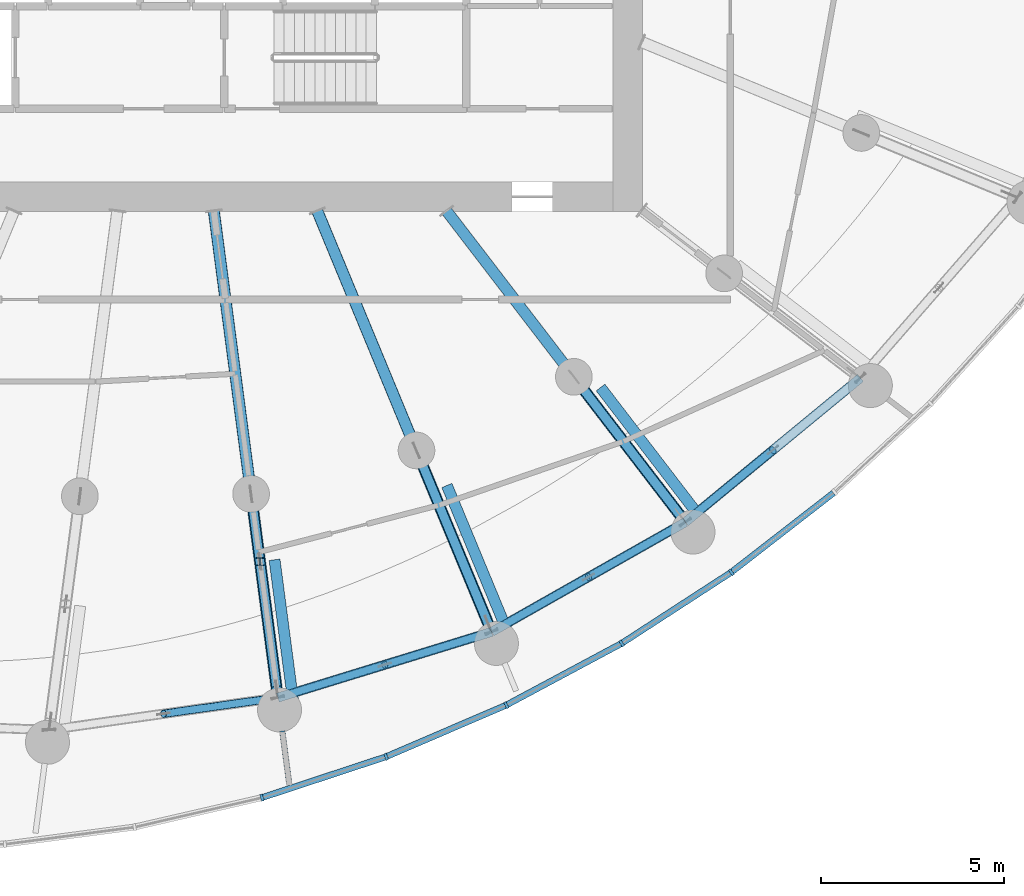
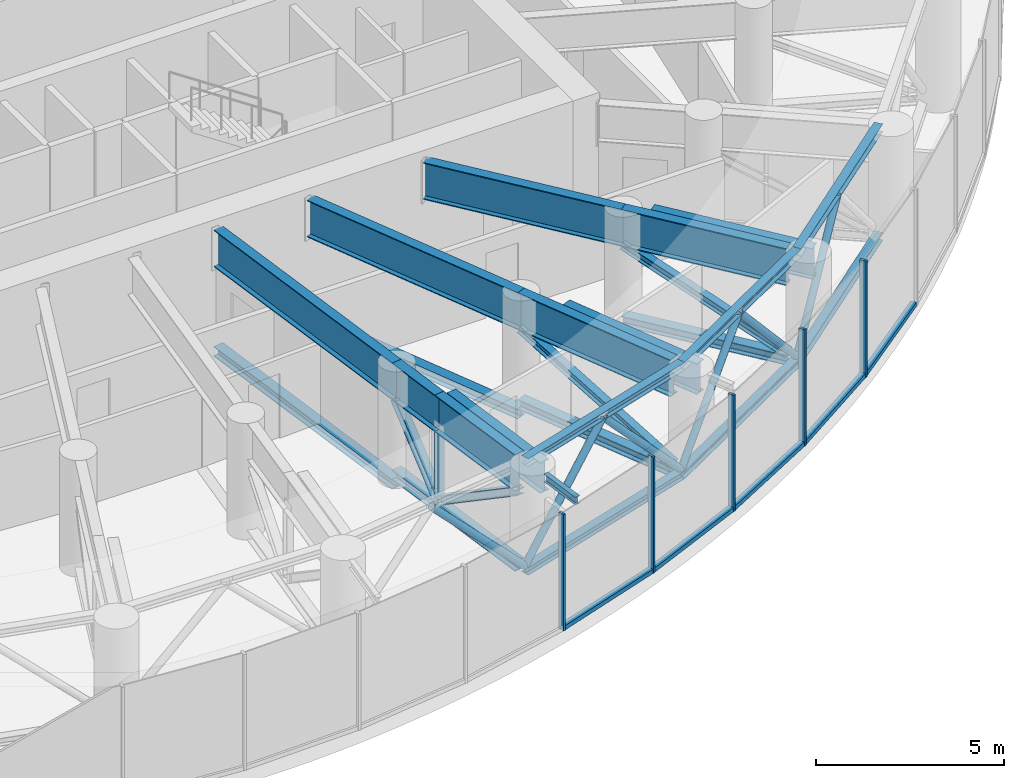
# One storey, part 5 of 33: 32 members, 11 beams, 2 elements without a shape of their own.
"""IFC4 building model written with IfcOpenShell, lengths in metres."""

from ifc_helpers import new_model, si_unit, direction, frame, origin, origin_2d, place, context, subcontext, project, spatial, rectangle, hollow_circle, i_section, extrude, source, transform, mapped, material, layer, layer_set, material_profile, profile_set, type_object, element, aggregate, save


model = new_model("IFC4")

# Units and contexts
model_context = context("Model", 3, precision=1e-05, world=origin(), true_north=direction((0.0, 1.0)))
body_context = subcontext(model_context, "Body", "Model", "MODEL_VIEW")
ifc_project = project(units=[si_unit("LENGTHUNIT", "METRE"), si_unit("AREAUNIT", "SQUARE_METRE"), si_unit("VOLUMEUNIT", "CUBIC_METRE"), si_unit("PLANEANGLEUNIT", "RADIAN"), si_unit("MASSUNIT", "GRAM", prefix="KILO")], contexts=[model_context])

# Site, building, storey
site_placement = place(None, origin())
site = spatial("IfcSite", under=ifc_project, at=site_placement, CompositionType="ELEMENT")
building_placement = place(site_placement, origin())
building = spatial("IfcBuilding", under=site, at=building_placement, Name="Spindrift Exchange Tower", CompositionType="ELEMENT")
storey_placement = place(building_placement, frame((0.0, 0.0, 129.0)))
storey = spatial("IfcBuildingStorey", under=building, at=storey_placement, Name="L30", CompositionType="ELEMENT", Elevation=129.0)

# Beams
ifc_material_1 = material(Name="Steel Grade 300", Category="steel")
ifc_material_profile_1 = material_profile(ifc_material_1, i_section(OverallWidth=0.14599609375, OverallDepth=0.251953125, WebThickness=0.006103515625, FlangeThickness=0.008544921875, FilletRadius=0.011962890625, at=origin_2d()), Name="250UB31.4")
ifc_profile_set_1 = profile_set([ifc_material_profile_1], Name="Steel Grade 300")
beam_type_1 = type_object("IfcBeamType", Name="Cantilever Beam 250UB31.4 Steel Grade 300", PredefinedType="BEAM", material=ifc_profile_set_1)
shared_shape_1 = source(origin(), body_context, "Body", "SweptSolid", [
    extrude(i_section(OverallWidth=0.14599609375, OverallDepth=0.251953125, WebThickness=0.006103515625, FlangeThickness=0.008544921875, FilletRadius=0.011962890625, at=origin_2d()), origin(), (0.0, 0.0, 1.0), 1.37744140625),
])
beam_1_placement = place(storey_placement, frame((55.18212890625, 23.82958984375, 3.654052734375), z_axis=(0.130445343131, -0.991455502005, 0.0), x_axis=(0.991455502005, 0.130445343131, 0.0)))
element("IfcBeam", 1, at=beam_1_placement, inside=storey, type_object=beam_type_1, Name="L30 cantilever beam R19T", PredefinedType="BEAM", context=body_context, shape_type="MappedRepresentation", body=[
    mapped(shared_shape_1, transform((0.0, 0.0, 0.0), scale=1.0)),
])
ifc_material_profile_2 = material_profile(ifc_material_1, i_section(OverallWidth=0.300048828125, OverallDepth=1.199951171875, WebThickness=0.011962890625, FlangeThickness=0.028076171875, at=origin_2d()), Name="1200WB249")
ifc_profile_set_2 = profile_set([ifc_material_profile_2], Name="Steel Grade 300")
beam_type_2 = type_object("IfcBeamType", Name="Outrigger Truss Transfer Girder 1200WB249 Steel Grade 300", PredefinedType="BEAM", material=ifc_profile_set_2)
shared_shape_2 = source(origin(), body_context, "Body", "SweptSolid", [
    extrude(i_section(OverallWidth=0.300048828125, OverallDepth=1.199951171875, WebThickness=0.011962890625, FlangeThickness=0.028076171875, at=origin_2d()), origin(), (0.0, 0.0, 1.0), 7.78955078125),
])
beam_2_placement = place(storey_placement, frame((53.31396484375, 38.019775390625, 3.179931640625), z_axis=(0.130539641282, -0.991443090678, 0.0), x_axis=(0.991443090678, 0.130539641282, 0.0)))
element("IfcBeam", 2, at=beam_2_placement, inside=storey, type_object=beam_type_2, Name="L30 outrigger truss 19 top chord 1", PredefinedType="BEAM", context=body_context, shape_type="MappedRepresentation", body=[
    mapped(shared_shape_2, transform((0.0, 0.0, 0.0), scale=1.0)),
])
shared_shape_3 = source(origin(), body_context, "Body", "SweptSolid", [
    extrude(i_section(OverallWidth=0.300048828125, OverallDepth=1.199951171875, WebThickness=0.011962890625, FlangeThickness=0.028076171875, at=origin_2d()), origin(), (0.0, 0.0, 1.0), 7.07470703125),
])
beam_3_placement = place(storey_placement, frame((56.134521484375, 38.0185546875, 3.179931640625), z_axis=(0.382673844804, -0.923883503751, 0.0), x_axis=(0.923883503751, 0.382673844804, 0.0)))
element("IfcBeam", 3, at=beam_3_placement, inside=storey, type_object=beam_type_2, Name="L30 outrigger truss 20 top chord 1", PredefinedType="BEAM", context=body_context, shape_type="MappedRepresentation", body=[
    mapped(shared_shape_3, transform((0.0, 0.0, 0.0), scale=1.0)),
])
shared_shape_4 = source(origin(), body_context, "Body", "SweptSolid", [
    extrude(i_section(OverallWidth=0.300048828125, OverallDepth=1.199951171875, WebThickness=0.011962890625, FlangeThickness=0.028076171875, at=origin_2d()), origin(), (0.0, 0.0, 1.0), 5.70458984375),
])
beam_4_placement = place(storey_placement, frame((59.6611328125, 38.015869140625, 3.179931640625), z_axis=(0.608742365615, -0.793367967784, 0.0), x_axis=(0.793367967784, 0.608742365615, 0.0)))
element("IfcBeam", 4, at=beam_4_placement, inside=storey, type_object=beam_type_2, Name="L30 outrigger truss 21 top chord 1", PredefinedType="BEAM", context=body_context, shape_type="MappedRepresentation", body=[
    mapped(shared_shape_4, transform((0.0, 0.0, 0.0), scale=1.0)),
])

# Members
ifc_material_profile_3 = material_profile(ifc_material_1, i_section(OverallWidth=0.202880859375, OverallDepth=0.202880859375, WebThickness=0.00732421875, FlangeThickness=0.010986328125, FilletRadius=0.012939453125, at=origin_2d()), Name="200UC46.2")
ifc_profile_set_3 = profile_set([ifc_material_profile_3], Name="Steel Grade 300")
member_type_1 = type_object("IfcMemberType", Name="Outrigger Truss Post 200UC46.2 Steel Grade 300", PredefinedType="POST", material=ifc_profile_set_3)
shared_shape_5 = source(origin(), body_context, "Body", "SweptSolid", [
    extrude(i_section(OverallWidth=0.202880859375, OverallDepth=0.202880859375, WebThickness=0.00732421875, FlangeThickness=0.010986328125, FilletRadius=0.012939453125, at=origin_2d()), origin(), (0.0, 0.0, 1.0), 2.259033203125),
])
member_1_placement = place(storey_placement, frame((54.573974609375, 28.44873046875, 0.321044921875), z_axis=(0.0, 0.0, 1.0), x_axis=(1.0, 0.0, 0.0)))
element("IfcMember", 5, at=member_1_placement, inside=storey, type_object=member_type_1, Name="L30 outrigger truss 19 post 2", PredefinedType="POST", context=body_context, shape_type="MappedRepresentation", body=[
    mapped(shared_shape_5, transform((0.0, 0.0, 0.0), scale=1.0)),
])
ifc_material_profile_4 = material_profile(ifc_material_1, i_section(OverallWidth=0.30908203125, OverallDepth=0.321044921875, WebThickness=0.013916015625, FlangeThickness=0.021728515625, FilletRadius=0.0166015625, at=origin_2d()), Name="310UC137")
ifc_profile_set_4 = profile_set([ifc_material_profile_4], Name="Steel Grade 300")
member_type_2 = type_object("IfcMemberType", Name="Outrigger Truss Chord 310UC137 Steel Grade 300", PredefinedType="CHORD", material=ifc_profile_set_4)
shared_shape_6 = source(origin(), body_context, "Body", "SweptSolid", [
    extrude(i_section(OverallWidth=0.30908203125, OverallDepth=0.321044921875, WebThickness=0.013916015625, FlangeThickness=0.021728515625, FilletRadius=0.0166015625, at=origin_2d()), origin(), (0.0, 0.0, 1.0), 7.78955078125),
])
member_2_placement = place(storey_placement, frame((53.31396484375, 38.019775390625, -0.160400390625), z_axis=(0.130539641282, -0.991443090678, 0.0), x_axis=(0.991443090678, 0.130539641282, 0.0)))
element("IfcMember", 6, at=member_2_placement, inside=storey, type_object=member_type_2, Name="L30 outrigger truss 19 bottom chord 1", PredefinedType="CHORD", context=body_context, shape_type="MappedRepresentation", body=[
    mapped(shared_shape_6, transform((0.0, 0.0, 0.0), scale=1.0)),
])

# Beam
shared_shape_7 = source(origin(), body_context, "Body", "SweptSolid", [
    extrude(i_section(OverallWidth=0.300048828125, OverallDepth=1.199951171875, WebThickness=0.011962890625, FlangeThickness=0.028076171875, at=origin_2d()), origin(), (0.0, 0.0, 1.0), 1.864013671875),
])
beam_5_placement = place(storey_placement, frame((54.330810546875, 30.296875, 3.179931640625), z_axis=(0.130447736637, -0.991455187089, 0.0), x_axis=(0.991455187089, 0.130447736637, 0.0)))
element("IfcBeam", 7, at=beam_5_placement, inside=storey, type_object=beam_type_2, Name="L30 outrigger truss 19 top chord 2", PredefinedType="BEAM", context=body_context, shape_type="MappedRepresentation", body=[
    mapped(shared_shape_7, transform((0.0, 0.0, 0.0), scale=1.0)),
])

# Members
shared_shape_8 = source(origin(), body_context, "Body", "SweptSolid", [
    extrude(i_section(OverallWidth=0.30908203125, OverallDepth=0.321044921875, WebThickness=0.013916015625, FlangeThickness=0.021728515625, FilletRadius=0.0166015625, at=origin_2d()), origin(), (0.0, 0.0, 1.0), 5.36328125),
])
member_3_placement = place(storey_placement, frame((54.330810546875, 30.296875, 0.160400390625), z_axis=(0.130508678946, -0.991447166883, 0.0), x_axis=(0.991447166883, 0.130508678946, 0.0)))
element("IfcMember", 8, at=member_3_placement, inside=storey, type_object=member_type_2, Name="L30 outrigger truss 19 bottom chord 2", PredefinedType="CHORD", context=body_context, shape_type="MappedRepresentation", body=[
    mapped(shared_shape_8, transform((0.0, 0.0, 0.0), scale=1.0)),
])
ifc_material_profile_5 = material_profile(ifc_material_1, i_section(OverallWidth=0.25390625, OverallDepth=0.25390625, WebThickness=0.008544921875, FlangeThickness=0.01416015625, FilletRadius=0.011962890625, at=origin_2d()), Name="250UC72.9")
ifc_profile_set_5 = profile_set([ifc_material_profile_5], Name="Steel Grade 300")
member_type_3 = type_object("IfcMemberType", Name="Outrigger Truss Diagonal 250UC72.9 Steel Grade 300", PredefinedType="BRACE", material=ifc_profile_set_5)
shared_shape_9 = source(origin(), body_context, "Body", "SweptSolid", [
    extrude(i_section(OverallWidth=0.25390625, OverallDepth=0.25390625, WebThickness=0.008544921875, FlangeThickness=0.01416015625, FilletRadius=0.011962890625, at=origin_2d()), origin(), (0.0, 0.0, 1.0), 2.9287109375),
])
member_4_placement = place(storey_placement, frame((54.330810546875, 30.296875, 2.580078125), z_axis=(0.083024529012, -0.631019763673, -0.771311211792), x_axis=(0.991455187089, 0.130447736637, 0.0)))
element("IfcMember", 9, at=member_4_placement, inside=storey, type_object=member_type_3, Name="L30 outrigger truss 19 diagonal 2", PredefinedType="BRACE", context=body_context, shape_type="MappedRepresentation", body=[
    mapped(shared_shape_9, transform((0.0, 0.0, 0.0), scale=1.0)),
])

# Beam
shared_shape_10 = source(origin(), body_context, "Body", "SweptSolid", [
    extrude(i_section(OverallWidth=0.300048828125, OverallDepth=1.199951171875, WebThickness=0.011962890625, FlangeThickness=0.028076171875, at=origin_2d()), origin(), (0.0, 0.0, 1.0), 3.499267578125),
])
beam_6_placement = place(storey_placement, frame((54.573974609375, 28.44873046875, 3.179931640625), z_axis=(0.130541143739, -0.991442892854, 0.0), x_axis=(0.991442892854, 0.130541143739, 0.0)))
element("IfcBeam", 10, at=beam_6_placement, inside=storey, type_object=beam_type_2, Name="L30 outrigger truss 19 top chord 3", PredefinedType="BEAM", context=body_context, shape_type="MappedRepresentation", body=[
    mapped(shared_shape_10, transform((0.0, 0.0, 0.0), scale=1.0)),
])

# Members
shared_shape_11 = source(origin(), body_context, "Body", "SweptSolid", [
    extrude(i_section(OverallWidth=0.25390625, OverallDepth=0.25390625, WebThickness=0.008544921875, FlangeThickness=0.01416015625, FilletRadius=0.011962890625, at=origin_2d()), origin(), (0.0, 0.0, 1.0), 4.1650390625),
])
member_5_placement = place(storey_placement, frame((54.573974609375, 28.44873046875, 0.321044921875), z_axis=(0.109671906926, -0.832943772003, 0.542380627892), x_axis=(0.991442892854, 0.130541143739, 0.0)))
element("IfcMember", 11, at=member_5_placement, inside=storey, type_object=member_type_3, Name="L30 outrigger truss 19 diagonal 3", PredefinedType="BRACE", context=body_context, shape_type="MappedRepresentation", body=[
    mapped(shared_shape_11, transform((0.0, 0.0, 0.0), scale=1.0)),
])
shared_shape_12 = source(origin(), body_context, "Body", "SweptSolid", [
    extrude(i_section(OverallWidth=0.30908203125, OverallDepth=0.321044921875, WebThickness=0.013916015625, FlangeThickness=0.021728515625, FilletRadius=0.0166015625, at=origin_2d()), origin(), (0.0, 0.0, 1.0), 7.07470703125),
])
member_6_placement = place(storey_placement, frame((56.134521484375, 38.0185546875, -0.160400390625), z_axis=(0.382673844804, -0.923883503751, 0.0), x_axis=(0.923883503751, 0.382673844804, 0.0)))
element("IfcMember", 12, at=member_6_placement, inside=storey, type_object=member_type_2, Name="L30 outrigger truss 20 bottom chord 1", PredefinedType="CHORD", context=body_context, shape_type="MappedRepresentation", body=[
    mapped(shared_shape_12, transform((0.0, 0.0, 0.0), scale=1.0)),
])

# Beam
shared_shape_13 = source(origin(), body_context, "Body", "SweptSolid", [
    extrude(i_section(OverallWidth=0.300048828125, OverallDepth=1.199951171875, WebThickness=0.011962890625, FlangeThickness=0.028076171875, at=origin_2d()), origin(), (0.0, 0.0, 1.0), 5.116455078125),
])
beam_7_placement = place(storey_placement, frame((58.841796875, 31.482421875, 3.179931640625), z_axis=(0.382683310397, -0.923879583032, 0.0), x_axis=(0.923879583032, 0.382683310397, 0.0)))
element("IfcBeam", 13, at=beam_7_placement, inside=storey, type_object=beam_type_2, Name="L30 outrigger truss 20 top chord 2", PredefinedType="BEAM", context=body_context, shape_type="MappedRepresentation", body=[
    mapped(shared_shape_13, transform((0.0, 0.0, 0.0), scale=1.0)),
])

# Members
shared_shape_14 = source(origin(), body_context, "Body", "SweptSolid", [
    extrude(i_section(OverallWidth=0.30908203125, OverallDepth=0.321044921875, WebThickness=0.013916015625, FlangeThickness=0.021728515625, FilletRadius=0.0166015625, at=origin_2d()), origin(), (0.0, 0.0, 1.0), 5.116455078125),
])
member_7_placement = place(storey_placement, frame((58.841796875, 31.482421875, 0.160400390625), z_axis=(0.382683310397, -0.923879583032, 0.0), x_axis=(0.923879583032, 0.382683310397, 0.0)))
element("IfcMember", 14, at=member_7_placement, inside=storey, type_object=member_type_2, Name="L30 outrigger truss 20 bottom chord 2", PredefinedType="CHORD", context=body_context, shape_type="MappedRepresentation", body=[
    mapped(shared_shape_14, transform((0.0, 0.0, 0.0), scale=1.0)),
])
shared_shape_15 = source(origin(), body_context, "Body", "SweptSolid", [
    extrude(i_section(OverallWidth=0.25390625, OverallDepth=0.25390625, WebThickness=0.008544921875, FlangeThickness=0.01416015625, FilletRadius=0.011962890625, at=origin_2d()), origin(), (0.0, 0.0, 1.0), 5.593017578125),
])
member_8_placement = place(storey_placement, frame((58.841796875, 31.482421875, 2.580078125), z_axis=(0.350079696358, -0.845167466445, -0.403901175861), x_axis=(0.923879583032, 0.382683310397, 0.0)))
element("IfcMember", 15, at=member_8_placement, inside=storey, type_object=member_type_3, Name="L30 outrigger truss 20 diagonal 2", PredefinedType="BRACE", context=body_context, shape_type="MappedRepresentation", body=[
    mapped(shared_shape_15, transform((0.0, 0.0, 0.0), scale=1.0)),
])

# Beam
shared_shape_16 = source(origin(), body_context, "Body", "SweptSolid", [
    extrude(i_section(OverallWidth=0.300048828125, OverallDepth=1.199951171875, WebThickness=0.011962890625, FlangeThickness=0.028076171875, at=origin_2d()), origin(), (0.0, 0.0, 1.0), 4.755615234375),
])
beam_8_placement = place(storey_placement, frame((63.1337890625, 33.489990234375, 3.179931640625), z_axis=(0.608752663646, -0.793360066114, 0.0), x_axis=(0.793360066114, 0.608752663646, 0.0)))
element("IfcBeam", 16, at=beam_8_placement, inside=storey, type_object=beam_type_2, Name="L30 outrigger truss 21 top chord 2", PredefinedType="BEAM", context=body_context, shape_type="MappedRepresentation", body=[
    mapped(shared_shape_16, transform((0.0, 0.0, 0.0), scale=1.0)),
])

# Members
shared_shape_17 = source(origin(), body_context, "Body", "SweptSolid", [
    extrude(i_section(OverallWidth=0.30908203125, OverallDepth=0.321044921875, WebThickness=0.013916015625, FlangeThickness=0.021728515625, FilletRadius=0.0166015625, at=origin_2d()), origin(), (0.0, 0.0, 1.0), 4.755615234375),
])
member_9_placement = place(storey_placement, frame((63.1337890625, 33.489990234375, 0.160400390625), z_axis=(0.608752663646, -0.793360066114, 0.0), x_axis=(0.793360066114, 0.608752663646, 0.0)))
element("IfcMember", 17, at=member_9_placement, inside=storey, type_object=member_type_2, Name="L30 outrigger truss 21 bottom chord 2", PredefinedType="CHORD", context=body_context, shape_type="MappedRepresentation", body=[
    mapped(shared_shape_17, transform((0.0, 0.0, 0.0), scale=1.0)),
])
shared_shape_18 = source(origin(), body_context, "Body", "SweptSolid", [
    extrude(i_section(OverallWidth=0.25390625, OverallDepth=0.25390625, WebThickness=0.008544921875, FlangeThickness=0.01416015625, FilletRadius=0.011962890625, at=origin_2d()), origin(), (0.0, 0.0, 1.0), 5.264892578125),
])
member_10_placement = place(storey_placement, frame((63.1337890625, 33.489990234375, 2.580078125), z_axis=(0.549868302377, -0.716618716895, -0.429071631126), x_axis=(0.793360066114, 0.608752663646, 0.0)))
element("IfcMember", 18, at=member_10_placement, inside=storey, type_object=member_type_3, Name="L30 outrigger truss 21 diagonal 2", PredefinedType="BRACE", context=body_context, shape_type="MappedRepresentation", body=[
    mapped(shared_shape_18, transform((0.0, 0.0, 0.0), scale=1.0)),
])
ifc_material_2 = material(Name="Steel Grade 350", Category="steel")
ifc_material_profile_6 = material_profile(ifc_material_2, hollow_circle(Radius=0.109619140625, WallThickness=0.006103515625, at=origin_2d()), Name="219.1x6.0CHS")
ifc_profile_set_6 = profile_set([ifc_material_profile_6], Name="Steel Grade 350")
member_type_4 = type_object("IfcMemberType", Name="Belt Truss Diagonal 219.1x6.0CHS Steel Grade 350", PredefinedType="BRACE", material=ifc_profile_set_6)
shared_shape_19 = source(origin(), body_context, "Body", "SweptSolid", [
    extrude(hollow_circle(Radius=0.109619140625, WallThickness=0.006103515625, at=origin_2d()), origin(), (0.0, 0.0, 1.0), 4.54248046875),
])
member_11_placement = place(storey_placement, frame((51.94189453125, 24.301025390625, 3.52587890625), z_axis=(0.686858542342, 0.097009363766, -0.720287807861), x_axis=(-0.139848367849, 0.990172931366, 0.0)))
element("IfcMember", 19, at=member_11_placement, inside=storey, type_object=member_type_4, Name="L30 belt truss 18 diagonal 2", PredefinedType="BRACE", context=body_context, shape_type="MappedRepresentation", body=[
    mapped(shared_shape_19, transform((0.0, 0.0, 0.0), scale=1.0)),
])
ifc_material_profile_7 = material_profile(ifc_material_1, i_section(OverallWidth=0.25390625, OverallDepth=0.25390625, WebThickness=0.008544921875, FlangeThickness=0.01416015625, FilletRadius=0.011962890625, at=origin_2d()), Name="250UC72.9")
ifc_profile_set_7 = profile_set([ifc_material_profile_7], Name="Steel Grade 300")
member_type_5 = type_object("IfcMemberType", Name="Belt Truss Chord 250UC72.9 Steel Grade 300", PredefinedType="CHORD", material=ifc_profile_set_7)
shared_shape_20 = source(origin(), body_context, "Body", "SweptSolid", [
    extrude(i_section(OverallWidth=0.25390625, OverallDepth=0.25390625, WebThickness=0.008544921875, FlangeThickness=0.01416015625, FilletRadius=0.011962890625, at=origin_2d()), origin(), (0.0, 0.0, 1.0), 6.098876953125),
])
for number, where, z_axis, x_axis, name in (
    (20, (55.06201171875, 24.74169921875, 3.653076171875), (0.955858602783, 0.293827043489, 0.0), (-0.293827043489, 0.955858602783, 0.0), "L30 belt truss 19 top chord"),
    (21, (55.06201171875, 24.74169921875, 0.126953125), (0.955858602783, 0.293827043489, 0.0), (-0.293827043489, 0.955858602783, 0.0), "L30 belt truss 19 bottom chord"),
):
    element("IfcMember", number, at=place(storey_placement, frame(where, z_axis=z_axis, x_axis=x_axis)), inside=storey, type_object=member_type_5, Name=name, PredefinedType="CHORD", context=body_context, shape_type="MappedRepresentation", body=[
        mapped(shared_shape_20, transform((0.0, 0.0, 0.0), scale=1.0)),
    ])
shared_shape_21 = source(origin(), body_context, "Body", "SweptSolid", [
    extrude(hollow_circle(Radius=0.109619140625, WallThickness=0.006103515625, at=origin_2d()), origin(), (0.0, 0.0, 1.0), 4.47265625),
])
for number, where, z_axis, x_axis, name in (
    (22, (55.06201171875, 24.74169921875, 0.25390625), (0.65169230964, 0.200327563144, 0.731550409063), (-0.293827043489, 0.955858602783, 0.0), "L30 belt truss 19 diagonal 1"),
    (23, (57.976806640625, 25.6376953125, 3.52587890625), (0.65169230964, 0.200327563144, -0.731550409063), (-0.293827043489, 0.955858602783, 0.0), "L30 belt truss 19 diagonal 2"),
):
    element("IfcMember", number, at=place(storey_placement, frame(where, z_axis=z_axis, x_axis=x_axis)), inside=storey, type_object=member_type_4, Name=name, PredefinedType="BRACE", context=body_context, shape_type="MappedRepresentation", body=[
        mapped(shared_shape_21, transform((0.0, 0.0, 0.0), scale=1.0)),
    ])
shared_shape_22 = source(origin(), body_context, "Body", "SweptSolid", [
    extrude(i_section(OverallWidth=0.25390625, OverallDepth=0.25390625, WebThickness=0.008544921875, FlangeThickness=0.01416015625, FilletRadius=0.011962890625, at=origin_2d()), origin(), (0.0, 0.0, 1.0), 6.072265625),
])
for number, where, z_axis, x_axis, name in (
    (24, (60.8916015625, 26.53369140625, 3.653076171875), (0.870095182591, 0.492883731962, 0.0), (-0.492883731962, 0.870095182591, 0.0), "L30 belt truss 20 top chord"),
    (25, (60.8916015625, 26.53369140625, 0.126953125), (0.870095182591, 0.492883731962, 0.0), (-0.492883731962, 0.870095182591, 0.0), "L30 belt truss 20 bottom chord"),
):
    element("IfcMember", number, at=place(storey_placement, frame(where, z_axis=z_axis, x_axis=x_axis)), inside=storey, type_object=member_type_5, Name=name, PredefinedType="CHORD", context=body_context, shape_type="MappedRepresentation", body=[
        mapped(shared_shape_22, transform((0.0, 0.0, 0.0), scale=1.0)),
    ])
shared_shape_23 = source(origin(), body_context, "Body", "SweptSolid", [
    extrude(hollow_circle(Radius=0.109619140625, WallThickness=0.006103515625, at=origin_2d()), origin(), (0.0, 0.0, 1.0), 4.463623046875),
])
for number, where, z_axis, x_axis, name in (
    (26, (60.8916015625, 26.53369140625, 0.25390625), (0.591846723799, 0.335275891035, 0.733012641378), (-0.492896927144, 0.87008770777, 0.0), "L30 belt truss 20 diagonal 1"),
    (27, (63.533447265625, 28.0302734375, 3.52587890625), (0.591822038804, 0.335238195548, -0.733049811835), (-0.492870535219, 0.870102658031, 0.0), "L30 belt truss 20 diagonal 2"),
):
    element("IfcMember", number, at=place(storey_placement, frame(where, z_axis=z_axis, x_axis=x_axis)), inside=storey, type_object=member_type_4, Name=name, PredefinedType="BRACE", context=body_context, shape_type="MappedRepresentation", body=[
        mapped(shared_shape_23, transform((0.0, 0.0, 0.0), scale=1.0)),
    ])
shared_shape_24 = source(origin(), body_context, "Body", "SweptSolid", [
    extrude(i_section(OverallWidth=0.25390625, OverallDepth=0.25390625, WebThickness=0.008544921875, FlangeThickness=0.01416015625, FilletRadius=0.011962890625, at=origin_2d()), origin(), (0.0, 0.0, 1.0), 6.18603515625),
])
for number, where, z_axis, x_axis, name in (
    (28, (66.175048828125, 29.526611328125, 3.653076171875), (0.771938210364, 0.635697569116, 0.0), (-0.635697569116, 0.771938210364, 0.0), "L30 belt truss 21 top chord"),
    (29, (66.175048828125, 29.526611328125, 0.126953125), (0.771938210364, 0.635697569116, 0.0), (-0.635697569116, 0.771938210364, 0.0), "L30 belt truss 21 bottom chord"),
):
    element("IfcMember", number, at=place(storey_placement, frame(where, z_axis=z_axis, x_axis=x_axis)), inside=storey, type_object=member_type_5, Name=name, PredefinedType="CHORD", context=body_context, shape_type="MappedRepresentation", body=[
        mapped(shared_shape_24, transform((0.0, 0.0, 0.0), scale=1.0)),
    ])
shared_shape_25 = source(origin(), body_context, "Body", "SweptSolid", [
    extrude(hollow_circle(Radius=0.109619140625, WallThickness=0.006103515625, at=origin_2d()), origin(), (0.0, 0.0, 1.0), 4.50244140625),
])
member_12_placement = place(storey_placement, frame((66.175048828125, 29.526611328125, 0.25390625), z_axis=(0.530255465273, 0.436719247092, 0.726708635402), x_axis=(-0.635740453693, 0.771902892558, 0.0)))
element("IfcMember", 30, at=member_12_placement, inside=storey, type_object=member_type_4, Name="L30 belt truss 21 diagonal 1", PredefinedType="BRACE", context=body_context, shape_type="MappedRepresentation", body=[
    mapped(shared_shape_25, transform((0.0, 0.0, 0.0), scale=1.0)),
])

# Beams
ifc_material_profile_8 = material_profile(ifc_material_1, i_section(OverallWidth=0.300048828125, OverallDepth=1.0, WebThickness=0.010009765625, FlangeThickness=0.02001953125, at=origin_2d()), Name="1000WB215")
ifc_profile_set_8 = profile_set([ifc_material_profile_8], Name="Steel Grade 300")
beam_type_3 = type_object("IfcBeamType", Name="Transfer Tie Beam 1000WB215 Steel Grade 300", PredefinedType="BEAM", material=ifc_profile_set_8)
shared_shape_26 = source(origin(), body_context, "Body", "SweptSolid", [
    extrude(i_section(OverallWidth=0.300048828125, OverallDepth=1.0, WebThickness=0.010009765625, FlangeThickness=0.02001953125, at=origin_2d()), origin(), (0.0, 0.0, 1.0), 4.0791015625),
])
beam_9_placement = place(storey_placement, frame((55.5029296875, 24.456787109375, 3.179931640625), z_axis=(-0.130477736319, 0.99145123951, 0.0), x_axis=(-0.99145123951, -0.130477736319, 0.0)))
element("IfcBeam", 31, at=beam_9_placement, inside=storey, type_object=beam_type_3, Name="L30 transfer tie beam K19", PredefinedType="BEAM", context=body_context, shape_type="MappedRepresentation", body=[
    mapped(shared_shape_26, transform((0.0, 0.0, 0.0), scale=1.0)),
])
shared_shape_27 = source(origin(), body_context, "Body", "SweptSolid", [
    extrude(i_section(OverallWidth=0.300048828125, OverallDepth=1.0, WebThickness=0.010009765625, FlangeThickness=0.02001953125, at=origin_2d()), origin(), (0.0, 0.0, 1.0), 4.4970703125),
])
beam_10_placement = place(storey_placement, frame((61.391357421875, 26.37255859375, 3.179931640625), z_axis=(-0.382679428542, 0.923881190939, 0.0), x_axis=(-0.923881190939, -0.382679428542, 0.0)))
element("IfcBeam", 32, at=beam_10_placement, inside=storey, type_object=beam_type_3, Name="L30 transfer tie beam K20", PredefinedType="BEAM", context=body_context, shape_type="MappedRepresentation", body=[
    mapped(shared_shape_27, transform((0.0, 0.0, 0.0), scale=1.0)),
])
shared_shape_28 = source(origin(), body_context, "Body", "SweptSolid", [
    extrude(i_section(OverallWidth=0.300048828125, OverallDepth=1.0, WebThickness=0.010009765625, FlangeThickness=0.02001953125, at=origin_2d()), origin(), (0.0, 0.0, 1.0), 4.662109375),
])
beam_11_placement = place(storey_placement, frame((66.69921875, 29.50048828125, 3.179931640625), z_axis=(-0.608761301523, 0.793353438114, 0.0), x_axis=(-0.793353438114, -0.608761301523, 0.0)))
element("IfcBeam", 33, at=beam_11_placement, inside=storey, type_object=beam_type_3, Name="L30 transfer tie beam K21", PredefinedType="BEAM", context=body_context, shape_type="MappedRepresentation", body=[
    mapped(shared_shape_28, transform((0.0, 0.0, 0.0), scale=1.0)),
])

# Curtain wall, members
ifc_material_3 = material(Name="Fritted laminated glass with bronze frame", Category="glass")
ifc_layer = layer(ifc_material_3, 0.18994140625)
ifc_layer_set = layer_set([ifc_layer], Name="ZONE 2 BRONZE FRITTED WALL")
curtain_wall_type = type_object("IfcCurtainWallType", Name="ZONE 2 BRONZE FRITTED WALL", PredefinedType="NOTDEFINED", material=ifc_layer_set)
curtain_wall_1_placement = place(storey_placement, origin())
curtain_wall_1 = element("IfcCurtainWall", 34, at=curtain_wall_1_placement, inside=storey, type_object=curtain_wall_type, Name="L30 Zone 2 Bronze Fritted Wall run 7", PredefinedType="NOTDEFINED")
ifc_material_4 = material(Name="Bronze anodised aluminium", Category="aluminium")
ifc_material_profile_9 = material_profile(ifc_material_4, rectangle(XDim=0.169921875, YDim=0.139892578125, at=origin_2d()), Name="ZONE 2 BRONZE FRITTED WALL TRANSOM 170X140")
ifc_profile_set_9 = profile_set([ifc_material_profile_9], Name="Bronze anodised aluminium")
member_type_6 = type_object("IfcMemberType", Name="ZONE 2 BRONZE FRITTED WALL TRANSOM 170X140", PredefinedType="USERDEFINED", material=ifc_profile_set_9)
shared_shape_29 = source(origin(), body_context, "Body", "SweptSolid", [
    extrude(rectangle(XDim=0.169921875, YDim=0.139892578125, at=origin_2d()), origin(), (0.0, 0.0, 1.0), 3.49169921875),
])
member_13_placement = place(storey_placement, frame((58.049560546875, 23.143798828125, 0.070068359375), z_axis=(0.91875036497, 0.394838912556, 0.0), x_axis=(-0.394838912556, 0.91875036497, 0.0)))
member_13 = element("IfcMember", 35, at=member_13_placement, type_object=member_type_6, Name="L30 transom CW-2.37", ObjectType="TRANSOM", PredefinedType="USERDEFINED", context=body_context, shape_type="MappedRepresentation", body=[
    mapped(shared_shape_29, transform((0.0, 0.0, 0.0), scale=1.0)),
])
member_14_placement = place(storey_placement, frame((64.46875, 26.23974609375, 0.070068359375), z_axis=(0.838912968084, 0.544265589562, 0.0), x_axis=(-0.544265589562, 0.838912968084, 0.0)))
member_14 = element("IfcMember", 36, at=member_14_placement, type_object=member_type_6, Name="L30 transom CW-2.39", ObjectType="TRANSOM", PredefinedType="USERDEFINED", context=body_context, shape_type="MappedRepresentation", body=[
    mapped(shared_shape_29, transform((0.0, 0.0, 0.0), scale=1.0)),
])
member_15_placement = place(storey_placement, frame((67.458984375, 28.18359375, 0.070068359375), z_axis=(0.789939171559, 0.613185212832, 0.0), x_axis=(-0.613185212832, 0.789939171559, 0.0)))
member_15 = element("IfcMember", 37, at=member_15_placement, type_object=member_type_6, Name="L30 transom CW-2.40", ObjectType="TRANSOM", PredefinedType="USERDEFINED", context=body_context, shape_type="MappedRepresentation", body=[
    mapped(shared_shape_29, transform((0.0, 0.0, 0.0), scale=1.0)),
])

# Curtain wall, member
curtain_wall_2_placement = place(storey_placement, origin())
curtain_wall_2 = element("IfcCurtainWall", 38, at=curtain_wall_2_placement, inside=storey, type_object=curtain_wall_type, Name="L30 Zone 2 Bronze Fritted Wall run 6", PredefinedType="NOTDEFINED")
shared_shape_30 = source(origin(), body_context, "Body", "SweptSolid", [
    extrude(rectangle(XDim=0.169921875, YDim=0.139892578125, at=origin_2d()), origin(), (0.0, 0.0, 1.0), 3.491455078125),
])
member_16_placement = place(storey_placement, frame((54.66357421875, 22.0244140625, 0.070068359375), z_axis=(0.949754679997, 0.312995284028, 0.0), x_axis=(-0.312995284028, 0.949754679997, 0.0)))
member_16 = element("IfcMember", 39, at=member_16_placement, type_object=member_type_6, Name="L30 transom CW-2.36", ObjectType="TRANSOM", PredefinedType="USERDEFINED", context=body_context, shape_type="MappedRepresentation", body=[
    mapped(shared_shape_30, transform((0.0, 0.0, 0.0), scale=1.0)),
])

# Member
member_17_placement = place(storey_placement, frame((61.3251953125, 24.554931640625, 0.070068359375), z_axis=(0.881796814918, 0.471629491446, 0.0), x_axis=(-0.471629491446, 0.881796814918, 0.0)))
member_17 = element("IfcMember", 40, at=member_17_placement, type_object=member_type_6, Name="L30 transom CW-2.38", ObjectType="TRANSOM", PredefinedType="USERDEFINED", context=body_context, shape_type="MappedRepresentation", body=[
    mapped(shared_shape_30, transform((0.0, 0.0, 0.0), scale=1.0)),
])

ifc_material_profile_10 = material_profile(ifc_material_4, rectangle(XDim=0.074951171875, YDim=0.18994140625, at=origin_2d()), Name="ZONE 2 BRONZE FRITTED WALL MULLION 75X190")
ifc_profile_set_10 = profile_set([ifc_material_profile_10], Name="Bronze anodised aluminium")
member_type_7 = type_object("IfcMemberType", Name="ZONE 2 BRONZE FRITTED WALL MULLION 75X190", PredefinedType="MULLION", material=ifc_profile_set_10)
shared_shape_31 = source(origin(), body_context, "Body", "SweptSolid", [
    extrude(rectangle(XDim=0.074951171875, YDim=0.18994140625, at=origin_2d()), origin(), (0.0, 0.0, 1.0), 3.780029296875),
])
member_18_placement = place(storey_placement, frame((54.6279296875, 22.0126953125, 0.0), z_axis=(0.0, 0.0, 1.0), x_axis=(0.963013761825, 0.269452211969, 0.0)))
member_18 = element("IfcMember", 41, at=member_18_placement, type_object=member_type_7, Name="L30 mullion CW-2.36", PredefinedType="MULLION", context=body_context, shape_type="MappedRepresentation", body=[
    mapped(shared_shape_31, transform((0.0, 0.0, 0.0), scale=1.0)),
])

aggregate(curtain_wall_2, [member_18, member_16])

member_19_placement = place(storey_placement, frame((58.01513671875, 23.12890625, 0.0), z_axis=(0.0, 0.0, 1.0), x_axis=(0.935146634499, 0.354260881252, 0.0)))
member_19 = element("IfcMember", 42, at=member_19_placement, type_object=member_type_7, Name="L30 mullion CW-2.37", PredefinedType="MULLION", context=body_context, shape_type="MappedRepresentation", body=[
    mapped(shared_shape_31, transform((0.0, 0.0, 0.0), scale=1.0)),
])

member_20_placement = place(storey_placement, frame((61.2919921875, 24.537109375, 0.0), z_axis=(0.0, 0.0, 1.0), x_axis=(0.901093589993, 0.433624655749, 0.0)))
member_20 = element("IfcMember", 43, at=member_20_placement, type_object=member_type_7, Name="L30 mullion CW-2.38", PredefinedType="MULLION", context=body_context, shape_type="MappedRepresentation", body=[
    mapped(shared_shape_31, transform((0.0, 0.0, 0.0), scale=1.0)),
])

member_21_placement = place(storey_placement, frame((64.437255859375, 26.219482421875, 0.0), z_axis=(0.0, 0.0, 1.0), x_axis=(0.86112828222, 0.508387727587, 0.0)))
member_21 = element("IfcMember", 44, at=member_21_placement, type_object=member_type_7, Name="L30 mullion CW-2.39", PredefinedType="MULLION", context=body_context, shape_type="MappedRepresentation", body=[
    mapped(shared_shape_31, transform((0.0, 0.0, 0.0), scale=1.0)),
])

member_22_placement = place(storey_placement, frame((67.429443359375, 28.160400390625, 0.0), z_axis=(0.0, 0.0, 1.0), x_axis=(0.815158798608, 0.57923754458, 0.0)))
member_22 = element("IfcMember", 45, at=member_22_placement, type_object=member_type_7, Name="L30 mullion CW-2.40", PredefinedType="MULLION", context=body_context, shape_type="MappedRepresentation", body=[
    mapped(shared_shape_31, transform((0.0, 0.0, 0.0), scale=1.0)),
])

aggregate(curtain_wall_1, [member_19, member_13, member_20, member_17, member_21, member_14, member_22, member_15])

save(model, "model.ifc")
